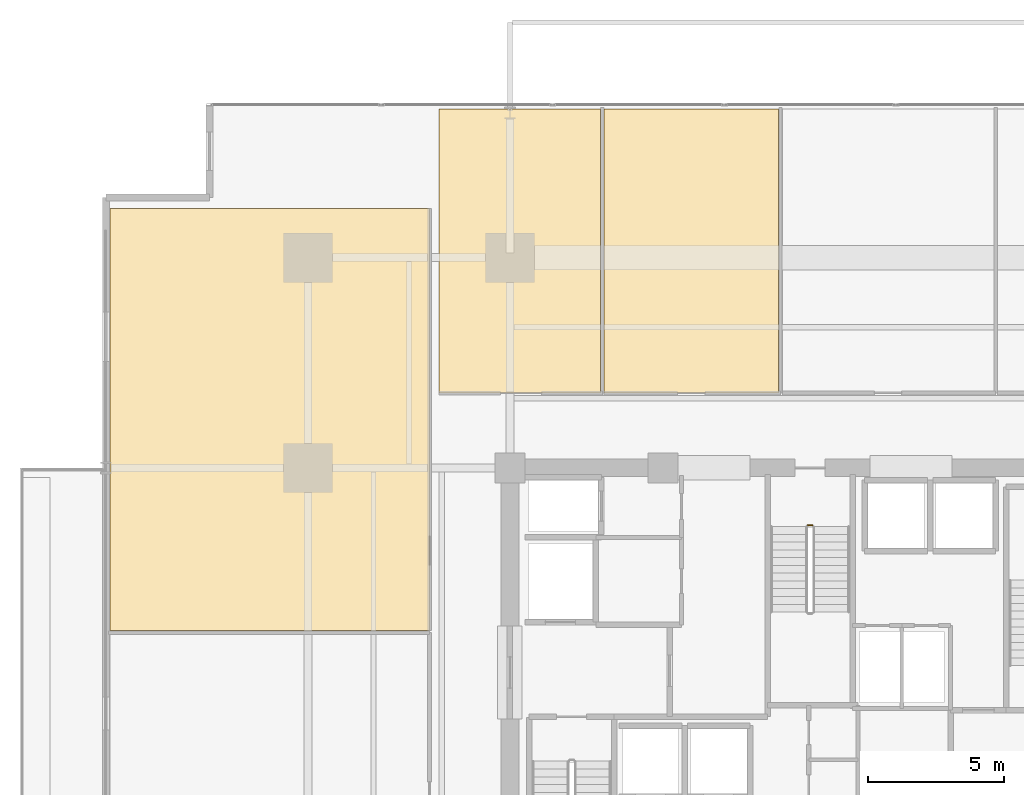
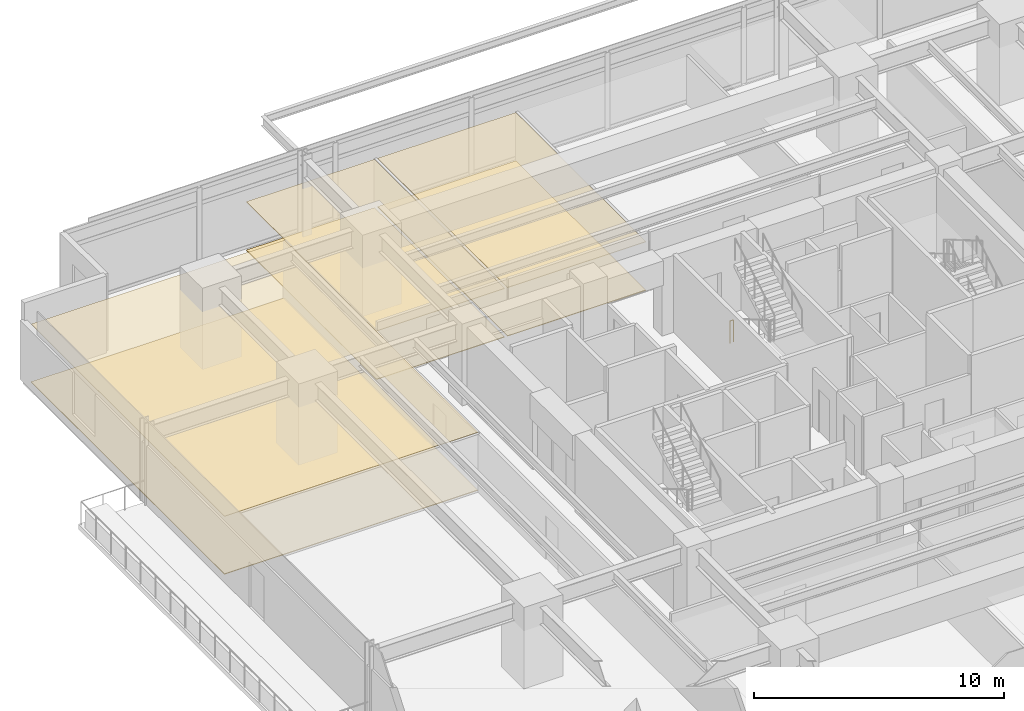
# One storey, part 21 of 22: 6 coverings, 1 railing.
"""IFC4 building model written with IfcOpenShell, lengths in metres."""

from ifc_helpers import new_model, si_unit, direction, frame, origin, origin_2d, place, context, subcontext, project, spatial, polyline, circle, outline, extrude, material, layer, layer_set, type_object, element, save


model = new_model("IFC4")

# Units and contexts
model_context = context("Model", 3, precision=1e-05, world=origin(), true_north=direction((0.0, 1.0)))
body_context = subcontext(model_context, "Body", "Model", "MODEL_VIEW")
ifc_project = project(units=[si_unit("LENGTHUNIT", "METRE"), si_unit("AREAUNIT", "SQUARE_METRE"), si_unit("VOLUMEUNIT", "CUBIC_METRE"), si_unit("PLANEANGLEUNIT", "RADIAN"), si_unit("MASSUNIT", "GRAM", prefix="KILO")], contexts=[model_context])

# Site, building, storey
site_placement = place(None, origin())
site = spatial("IfcSite", under=ifc_project, at=site_placement, CompositionType="ELEMENT")
building_placement = place(site_placement, origin())
building = spatial("IfcBuilding", under=site, at=building_placement, Name="Kovane Verandah Tower", CompositionType="ELEMENT")
storey_placement = place(building_placement, frame((0.0, 0.0, 59.60009765625)))
storey = spatial("IfcBuildingStorey", under=building, at=storey_placement, Name="L13", CompositionType="ELEMENT", Elevation=59.60009765625)

# Coverings
ifc_material_1 = material(Name="Perforated Acoustic Mineral-Fibre Ceiling Tile", Category="gypsum")
ifc_layer_1 = layer(ifc_material_1, 0.02490234375)
ifc_layer_set_1 = layer_set([ifc_layer_1], Name="Perforated Acoustic Mineral-Fibre Ceiling Tile")
covering_type_1 = type_object("IfcCoveringType", Name="CV-CEIL-25", PredefinedType="CEILING", material=ifc_layer_set_1)
covering_1_placement = place(storey_placement, frame((0.0, 0.0, 2.364990234375)))
element("IfcCovering", 1, at=covering_1_placement, inside=storey, type_object=covering_type_1, Name="L13 Client Boardroom N1 Acoustic Ceiling", PredefinedType="CEILING", context=body_context, shape_type="SweptSolid", body=[
    extrude(outline(polyline([(26.39990234375, 39.25), (32.31396484375, 39.25), (32.31396484375, 49.653564453125), (26.39990234375, 49.653564453125), (26.39990234375, 39.25)])), origin(), (0.0, 0.0, 1.0), 0.02490234375),
])
covering_2_placement = place(storey_placement, frame((0.0, 0.0, 2.364990234375)))
element("IfcCovering", 2, at=covering_2_placement, inside=storey, type_object=covering_type_1, Name="L13 Meeting Room N2 Acoustic Ceiling", PredefinedType="CEILING", context=body_context, shape_type="SweptSolid", body=[
    extrude(outline(polyline([(32.4541015625, 39.25), (38.842041015625, 39.25), (38.842041015625, 49.653564453125), (32.4541015625, 49.653564453125), (32.4541015625, 39.25)])), origin(), (0.0, 0.0, 1.0), 0.02490234375),
])
covering_3_placement = place(storey_placement, frame((0.0, 0.0, 2.824951171875)))
element("IfcCovering", 3, at=covering_3_placement, inside=storey, type_object=covering_type_1, Name="L13 Executive Office W2 Acoustic Ceiling", PredefinedType="CEILING", context=body_context, shape_type="SweptSolid", body=[
    extrude(outline(polyline([(14.3447265625, 30.530517578125), (26.050048828125, 30.530517578125), (26.050048828125, 46.003662109375), (14.3447265625, 46.003662109375), (14.3447265625, 30.530517578125)])), origin(), (0.0, 0.0, 1.0), 0.02490234375),
])
ifc_material_2 = material(Name="Polished Terrazzo and Raised-Access Carpet Tile Finish", Category="concrete")
ifc_layer_2 = layer(ifc_material_2, 0.030029296875)
ifc_layer_set_2 = layer_set([ifc_layer_2], Name="Polished Terrazzo and Raised-Access Carpet Tile Finish")
covering_type_2 = type_object("IfcCoveringType", Name="CV-FLOR-30", PredefinedType="FLOORING", material=ifc_layer_set_2)
covering_4_placement = place(storey_placement, origin())
element("IfcCovering", 4, at=covering_4_placement, inside=storey, type_object=covering_type_2, Name="L13 Client Boardroom N1 Floor Finish", PredefinedType="FLOORING", context=body_context, shape_type="SweptSolid", body=[
    extrude(outline(polyline([(26.39990234375, 39.25), (32.31396484375, 39.25), (32.31396484375, 49.653564453125), (26.39990234375, 49.653564453125), (26.39990234375, 39.25)])), origin(), (0.0, 0.0, 1.0), 0.02978515625),
])
covering_5_placement = place(storey_placement, origin())
element("IfcCovering", 5, at=covering_5_placement, inside=storey, type_object=covering_type_2, Name="L13 Meeting Room N2 Floor Finish", PredefinedType="FLOORING", context=body_context, shape_type="SweptSolid", body=[
    extrude(outline(polyline([(32.4541015625, 39.25), (38.842041015625, 39.25), (38.842041015625, 49.653564453125), (32.4541015625, 49.653564453125), (32.4541015625, 39.25)])), origin(), (0.0, 0.0, 1.0), 0.02978515625),
])
covering_6_placement = place(storey_placement, origin())
element("IfcCovering", 6, at=covering_6_placement, inside=storey, type_object=covering_type_2, Name="L13 Executive Office W2 Floor Finish", PredefinedType="FLOORING", context=body_context, shape_type="SweptSolid", body=[
    extrude(outline(polyline([(14.3447265625, 30.530517578125), (26.050048828125, 30.530517578125), (26.050048828125, 46.003662109375), (14.3447265625, 46.003662109375), (14.3447265625, 30.530517578125)])), origin(), (0.0, 0.0, 1.0), 0.02978515625),
])

# Railing
ifc_material_3 = material(Name="Painted Steel Stairwell Guardrail", Category="steel")
railing_type = type_object("IfcRailingType", Name="RL-STGUARD-1120", PredefinedType="GUARDRAIL", material=ifc_material_3)
railing_placement = place(storey_placement, frame((39.919921875, 34.39990234375, 0.0)))
element("IfcRailing", 7, at=railing_placement, inside=storey, type_object=railing_type, Name="L13 ST-03 stair guard 4", PredefinedType="GUARDRAIL", context=body_context, shape_type="SweptSolid", body=[
    extrude(circle(Radius=0.02392578125, at=origin_2d()), frame((0.0, 0.0, 1.076171875), z_axis=(1.0, 0.0, 0.0), x_axis=(0.0, 1.0, 0.0)), (0.0, 0.0, 1.0), 0.16015625),
    extrude(circle(Radius=0.02099609375, at=origin_2d()), origin(), (0.0, 0.0, 1.0), 1.052001953125),
    extrude(circle(Radius=0.02099609375, at=origin_2d()), frame((0.16015625, 0.0, 0.0)), (0.0, 0.0, 1.0), 1.052001953125),
])

save(model, "model.ifc")
